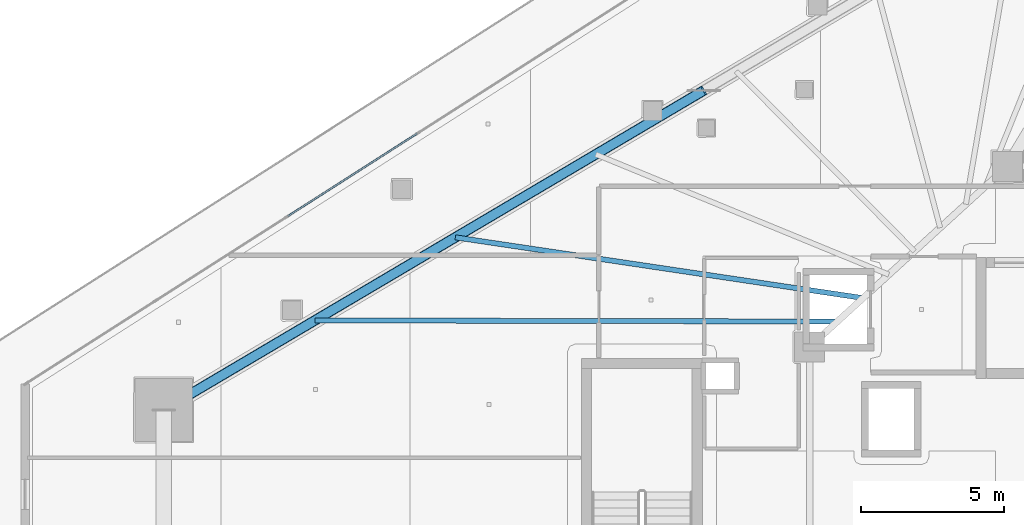
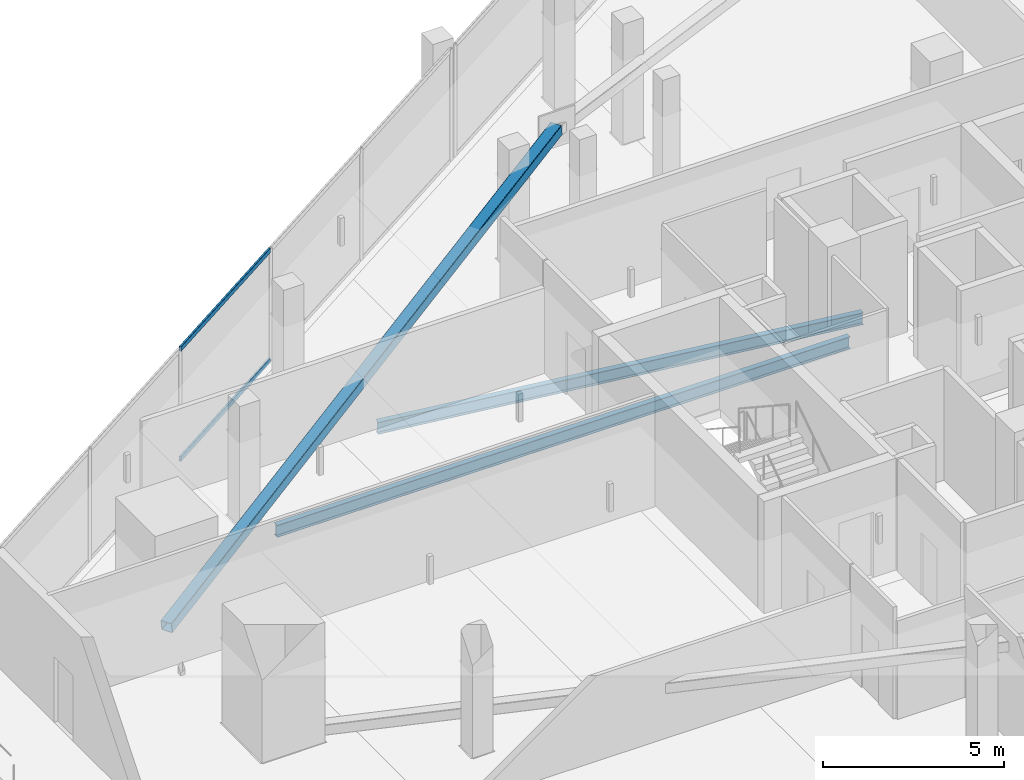
# One storey, part 14 of 45: 3 members, 2 beams, 1 element without a shape of its own.
"""IFC4 building model written with IfcOpenShell, lengths in metres."""

from ifc_helpers import new_model, si_unit, direction, frame, origin, origin_2d, place, context, subcontext, project, spatial, hollow_rectangle, i_section, extrude, material, layer, layer_set, material_profile, profile_set, type_object, element, aggregate, save


model = new_model("IFC4")

# Units and contexts
model_context = context("Model", 3, precision=1e-05, world=origin(), true_north=direction((0.0, 1.0)))
body_context = subcontext(model_context, "Body", "Model", "MODEL_VIEW")
ifc_project = project(units=[si_unit("LENGTHUNIT", "METRE"), si_unit("AREAUNIT", "SQUARE_METRE"), si_unit("VOLUMEUNIT", "CUBIC_METRE"), si_unit("PLANEANGLEUNIT", "RADIAN"), si_unit("MASSUNIT", "GRAM", prefix="KILO")], contexts=[model_context])

# Site, building, storey
site_placement = place(None, origin())
site = spatial("IfcSite", under=ifc_project, at=site_placement, CompositionType="ELEMENT")
building_placement = place(site_placement, origin())
building = spatial("IfcBuilding", under=site, at=building_placement, Name="Qorvath Tower", CompositionType="ELEMENT")
storey_placement = place(building_placement, frame((0.0, 0.0, 126.0)))
storey = spatial("IfcBuildingStorey", under=building, at=storey_placement, Name="L28", CompositionType="ELEMENT", Elevation=126.0)

# Beams
ifc_material_1 = material(Name="Steel ASTM A992 Grade 50", Category="steel")
ifc_material_profile_1 = material_profile(ifc_material_1, i_section(OverallWidth=0.177978515625, OverallDepth=0.406005859375, WebThickness=0.0078125, FlangeThickness=0.0126953125, FilletRadius=0.010986328125, at=origin_2d()), Name="W16x40")
ifc_profile_set_1 = profile_set([ifc_material_profile_1], Name="Steel ASTM A992 Grade 50")
beam_type = type_object("IfcBeamType", Name="BM-FJ3", PredefinedType="JOIST", material=ifc_profile_set_1)
beam_1_placement = place(storey_placement, frame((-29.533935546875, 6.031982421875, -0.48291015625), z_axis=(-0.999997589883, 0.002195501951, 0.0), x_axis=(-0.002195501951, -0.999997589883, 0.0)))
element("IfcBeam", 1, at=beam_1_placement, inside=storey, type_object=beam_type, Name="Composite Floor Joist NW1 L28", PredefinedType="JOIST", context=body_context, shape_type="SweptSolid", body=[
    extrude(i_section(OverallWidth=0.177978515625, OverallDepth=0.406005859375, WebThickness=0.0078125, FlangeThickness=0.0126953125, FilletRadius=0.010986328125, at=origin_2d()), origin(), (0.0, 0.0, 1.0), 18.23681640625),
])
beam_2_placement = place(storey_placement, frame((-28.636962890625, 6.85107421875, -0.48291015625), z_axis=(-0.989092860328, 0.147293291256, 0.0), x_axis=(-0.147293291256, -0.989092860328, 0.0)))
element("IfcBeam", 2, at=beam_2_placement, inside=storey, type_object=beam_type, Name="Composite Floor Joist NW2 L28", PredefinedType="JOIST", context=body_context, shape_type="SweptSolid", body=[
    extrude(i_section(OverallWidth=0.177978515625, OverallDepth=0.406005859375, WebThickness=0.0078125, FlangeThickness=0.0126953125, FilletRadius=0.010986328125, at=origin_2d()), origin(), (0.0, 0.0, 1.0), 14.388916015625),
])

# Curtain wall, members
ifc_material_2 = material(Name="Anodised aluminium and triple low-E glass", Category="aluminium")
ifc_layer = layer(ifc_material_2, 0.179931640625)
ifc_layer_set = layer_set([ifc_layer], Name="CW-SYS-2")
curtain_wall_type = type_object("IfcCurtainWallType", Name="CW-SYS-2", PredefinedType="NOTDEFINED", material=ifc_layer_set)
curtain_wall_placement = place(storey_placement, origin())
curtain_wall = element("IfcCurtainWall", 3, at=curtain_wall_placement, inside=storey, type_object=curtain_wall_type, Name="Curtain Wall CW-2 CW-T-L28-16.3", PredefinedType="NOTDEFINED")
ifc_material_3 = material(Name="Anodised aluminium 6063-T6", Category="aluminium")
ifc_material_profile_2 = material_profile(ifc_material_3, hollow_rectangle(XDim=0.06494140625, YDim=0.159912109375, WallThickness=0.00341796875, InnerFilletRadius=0.00341796875, OuterFilletRadius=0.007080078125, at=origin_2d()), Name="CWT 160x65")
ifc_profile_set_2 = profile_set([ifc_material_profile_2], Name="Anodised aluminium 6063-T6")
member_type_1 = type_object("IfcMemberType", Name="CWT-160", PredefinedType="USERDEFINED", material=ifc_profile_set_2)
member_1_placement = place(storey_placement, frame((-44.200439453125, 12.597412109375, 0.032470703125), z_axis=(-0.842621067422, -0.538506951428, 0.0), x_axis=(0.538506951428, -0.842621067422, 0.0)))
member_1 = element("IfcMember", 4, at=member_1_placement, type_object=member_type_1, Name="CW-2 transom 3.1", ObjectType="TRANSOM", PredefinedType="USERDEFINED", context=body_context, shape_type="SweptSolid", body=[
    extrude(hollow_rectangle(XDim=0.06494140625, YDim=0.159912109375, WallThickness=0.00341796875, InnerFilletRadius=0.00341796875, OuterFilletRadius=0.007080078125, at=origin_2d()), origin(), (0.0, 0.0, 1.0), 5.361083984375),
])
member_2_placement = place(storey_placement, frame((-44.200439453125, 12.597412109375, 3.737548828125), z_axis=(-0.842621067422, -0.538506951428, 0.0), x_axis=(0.538506951428, -0.842621067422, 0.0)))
member_2 = element("IfcMember", 5, at=member_2_placement, type_object=member_type_1, Name="CW-2 transom 3.2", ObjectType="TRANSOM", PredefinedType="USERDEFINED", context=body_context, shape_type="SweptSolid", body=[
    extrude(hollow_rectangle(XDim=0.06494140625, YDim=0.159912109375, WallThickness=0.00341796875, InnerFilletRadius=0.00341796875, OuterFilletRadius=0.007080078125, at=origin_2d()), origin(), (0.0, 0.0, 1.0), 5.361083984375),
])
aggregate(curtain_wall, [member_1, member_2])

# Member
ifc_material_4 = material(Name="Steel ASTM A500 Grade C", Category="steel")
ifc_material_profile_3 = material_profile(ifc_material_4, hollow_rectangle(XDim=0.355712890625, YDim=0.355712890625, WallThickness=0.015869140625, InnerFilletRadius=0.015869140625, OuterFilletRadius=0.03173828125, at=origin_2d()), Name="HSS 356x356x16")
ifc_profile_set_3 = profile_set([ifc_material_profile_3], Name="Steel ASTM A500 Grade C")
member_type_2 = type_object("IfcMemberType", Name="MEM-MB2", PredefinedType="BRACE", material=ifc_profile_set_3)
member_3_placement = place(storey_placement, frame((-53.04931640625, 2.95068359375, 0.0), z_axis=(0.850469444029, 0.502891547317, 0.154278373115), x_axis=(-0.508985415689, 0.860775142889, 0.0)))
element("IfcMember", 6, at=member_3_placement, inside=storey, type_object=member_type_2, Name="Perimeter Chevron Brace L28-1B", PredefinedType="BRACE", context=body_context, shape_type="SweptSolid", body=[
    extrude(hollow_rectangle(XDim=0.355712890625, YDim=0.355712890625, WallThickness=0.015869140625, InnerFilletRadius=0.015869140625, OuterFilletRadius=0.03173828125, at=origin_2d()), origin(), (0.0, 0.0, 1.0), 22.167236328125),
])

save(model, "model.ifc")
